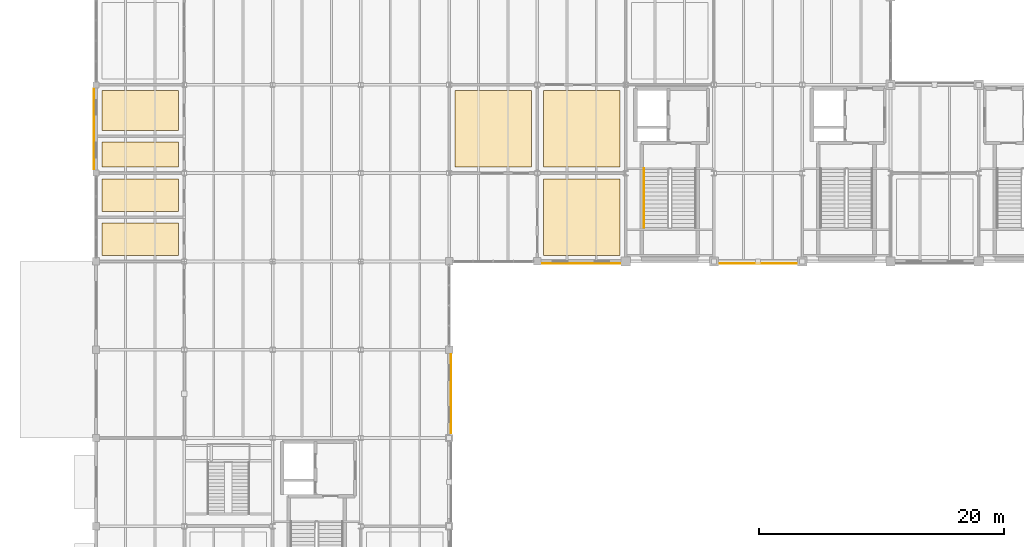
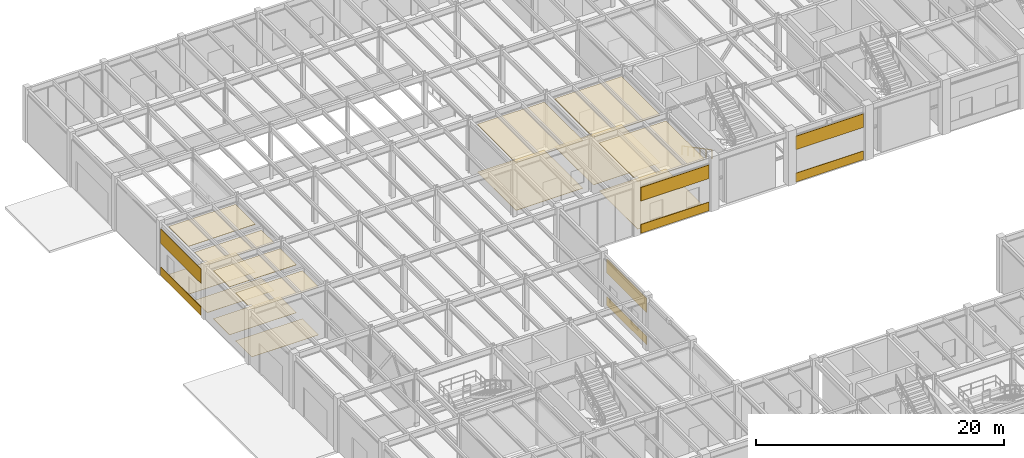
# One storey, part 92 of 97: 22 coverings, 1 railing.
"""IFC4 building model written with IfcOpenShell, lengths in metres."""

from ifc_helpers import new_model, si_unit, direction, frame, frame_2d, origin, origin_2d, place, context, subcontext, project, spatial, polyline, rectangle, circle, outline, extrude, material, layer, layer_set, type_object, element, save


model = new_model("IFC4")

# Units and contexts
model_context = context("Model", 3, precision=1e-05, world=origin(), true_north=direction((0.0, 1.0)))
body_context = subcontext(model_context, "Body", "Model", "MODEL_VIEW")
ifc_project = project(units=[si_unit("LENGTHUNIT", "METRE"), si_unit("AREAUNIT", "SQUARE_METRE"), si_unit("VOLUMEUNIT", "CUBIC_METRE"), si_unit("PLANEANGLEUNIT", "RADIAN"), si_unit("MASSUNIT", "GRAM", prefix="KILO")], contexts=[model_context])

# Site, building, storey
site_placement = place(None, origin())
site = spatial("IfcSite", under=ifc_project, at=site_placement, CompositionType="ELEMENT")
building_placement = place(site_placement, origin())
building = spatial("IfcBuilding", under=site, at=building_placement, Name="Sillqori Civic Hall", CompositionType="ELEMENT")
storey_placement = place(building_placement, origin())
storey = spatial("IfcBuildingStorey", under=building, at=storey_placement, Name="L01", CompositionType="ELEMENT", Elevation=0.0)

# Coverings
ifc_material_1 = material(Name="Acoustic Gypsum Board Assembly 28", Category="gypsum")
ifc_layer_1 = layer(ifc_material_1, 0.028076171875)
ifc_layer_set_1 = layer_set([ifc_layer_1], Name="Acoustic Gypsum Board Assembly 28")
covering_type_1 = type_object("IfcCoveringType", Name="COV-CEIL-G28", PredefinedType="CEILING", material=ifc_layer_set_1)
covering_1_placement = place(storey_placement, frame((0.0, 0.0, 4.721923828125)))
element("IfcCovering", 1, at=covering_1_placement, inside=storey, type_object=covering_type_1, Name="L01 Accessible WC acoustic ceiling", PredefinedType="CEILING", context=body_context, shape_type="SweptSolid", body=[
    extrude(outline(polyline([(7.679931640625, 86.8798828125), (13.919921875, 86.8798828125), (13.919921875, 88.919921875), (7.679931640625, 88.919921875), (7.679931640625, 86.8798828125)])), origin(), (0.0, 0.0, 1.0), 0.028076171875),
])
ifc_material_2 = material(Name="Acoustic Gypsum Board Assembly 34", Category="gypsum")
ifc_layer_2 = layer(ifc_material_2, 0.033935546875)
ifc_layer_set_2 = layer_set([ifc_layer_2], Name="Acoustic Gypsum Board Assembly 34")
covering_type_2 = type_object("IfcCoveringType", Name="COV-CEIL-G34", PredefinedType="CEILING", material=ifc_layer_set_2)
covering_2_placement = place(storey_placement, frame((0.0, 0.0, 4.716064453125)))
element("IfcCovering", 2, at=covering_2_placement, inside=storey, type_object=covering_type_2, Name="L01 Staff Sanitary and Cleaners Room acoustic ceiling", PredefinedType="CEILING", context=body_context, shape_type="SweptSolid", body=[
    extrude(outline(polyline([(7.679931640625, 89.8798828125), (13.919921875, 89.8798828125), (13.919921875, 93.1201171875), (7.679931640625, 93.1201171875), (7.679931640625, 89.8798828125)])), origin(), (0.0, 0.0, 1.0), 0.033935546875),
])
ifc_material_3 = material(Name="Perforated Metal Coffer Panel 64", Category="aluminium")
ifc_layer_3 = layer(ifc_material_3, 0.06396484375)
ifc_layer_set_3 = layer_set([ifc_layer_3], Name="Perforated Metal Coffer Panel 64")
covering_type_3 = type_object("IfcCoveringType", Name="COV-CEIL-M64", PredefinedType="CEILING", material=ifc_layer_set_3)
covering_3_placement = place(storey_placement, frame((0.0, 0.0, 4.68603515625)))
element("IfcCovering", 3, at=covering_3_placement, inside=storey, type_object=covering_type_3, Name="Business Licensing Intake Hall acoustic ceiling", PredefinedType="CEILING", context=body_context, shape_type="SweptSolid", body=[
    extrude(outline(polyline([(36.47998046875, 86.8798828125), (42.719970703125, 86.8798828125), (42.719970703125, 93.1201171875), (36.47998046875, 93.1201171875), (36.47998046875, 86.8798828125)])), origin(), (0.0, 0.0, 1.0), 0.06396484375),
])
ifc_material_4 = material(Name="Perforated Metal Coffer Panel 70", Category="aluminium")
ifc_layer_4 = layer(ifc_material_4, 0.070068359375)
ifc_layer_set_4 = layer_set([ifc_layer_4], Name="Perforated Metal Coffer Panel 70")
covering_type_4 = type_object("IfcCoveringType", Name="COV-CEIL-M70", PredefinedType="CEILING", material=ifc_layer_set_4)
covering_4_placement = place(storey_placement, frame((0.0, 0.0, 4.679931640625)))
element("IfcCovering", 4, at=covering_4_placement, inside=storey, type_object=covering_type_4, Name="Social Services Citizen Advisory Suite acoustic ceiling", PredefinedType="CEILING", context=body_context, shape_type="SweptSolid", body=[
    extrude(outline(polyline([(43.679931640625, 79.679931640625), (49.919921875, 79.679931640625), (49.919921875, 85.919921875), (43.679931640625, 85.919921875), (43.679931640625, 79.679931640625)])), origin(), (0.0, 0.0, 1.0), 0.070068359375),
])
ifc_material_5 = material(Name="Acoustic Wool Metal Plank 76", Category="aluminium")
ifc_layer_5 = layer(ifc_material_5, 0.075927734375)
ifc_layer_set_5 = layer_set([ifc_layer_5], Name="Acoustic Wool Metal Plank 76")
covering_type_5 = type_object("IfcCoveringType", Name="COV-CEIL-M76", PredefinedType="CEILING", material=ifc_layer_set_5)
covering_5_placement = place(storey_placement, frame((0.0, 0.0, 4.674072265625)))
element("IfcCovering", 5, at=covering_5_placement, inside=storey, type_object=covering_type_5, Name="Ombudsman Public Consultation Room acoustic ceiling", PredefinedType="CEILING", context=body_context, shape_type="SweptSolid", body=[
    extrude(outline(polyline([(43.679931640625, 86.8798828125), (49.919921875, 86.8798828125), (49.919921875, 93.1201171875), (43.679931640625, 93.1201171875), (43.679931640625, 86.8798828125)])), origin(), (0.0, 0.0, 1.0), 0.075927734375),
])
ifc_material_6 = material(Name="Micro-Perforated Aluminium Plank Ceiling", Category="aluminium")
ifc_layer_6 = layer(ifc_material_6, 0.035888671875)
ifc_layer_set_6 = layer_set([ifc_layer_6], Name="Micro-Perforated Aluminium Plank Ceiling")
covering_type_6 = type_object("IfcCoveringType", Name="COV-CEIL-MET", PredefinedType="CEILING", material=ifc_layer_set_6)
covering_6_placement = place(storey_placement, frame((0.0, 0.0, 4.714111328125)))
element("IfcCovering", 6, at=covering_6_placement, inside=storey, type_object=covering_type_6, Name="L01 Public Female WC acoustic ceiling", PredefinedType="CEILING", context=body_context, shape_type="SweptSolid", body=[
    extrude(outline(polyline([(7.679931640625, 83.280029296875), (13.919921875, 83.280029296875), (13.919921875, 85.919921875), (7.679931640625, 85.919921875), (7.679931640625, 83.280029296875)])), origin(), (0.0, 0.0, 1.0), 0.035888671875),
])
ifc_material_7 = material(Name="Mineral-Fibre High-NRC Tile Ceiling", Category="gypsum")
ifc_layer_7 = layer(ifc_material_7, 0.02392578125)
ifc_layer_set_7 = layer_set([ifc_layer_7], Name="Mineral-Fibre High-NRC Tile Ceiling")
covering_type_7 = type_object("IfcCoveringType", Name="COV-CEIL-MIN", PredefinedType="CEILING", material=ifc_layer_set_7)
covering_7_placement = place(storey_placement, frame((0.0, 0.0, 4.72607421875)))
element("IfcCovering", 7, at=covering_7_placement, inside=storey, type_object=covering_type_7, Name="L01 Public Male WC acoustic ceiling", PredefinedType="CEILING", context=body_context, shape_type="SweptSolid", body=[
    extrude(outline(polyline([(7.679931640625, 79.679931640625), (13.919921875, 79.679931640625), (13.919921875, 82.320068359375), (7.679931640625, 82.320068359375), (7.679931640625, 79.679931640625)])), origin(), (0.0, 0.0, 1.0), 0.02392578125),
])
ifc_material_8 = material(Name="Cochabamba Honed Limestone Cladding", Category="masonry")
ifc_layer_8 = layer(ifc_material_8, 0.044921875)
ifc_layer_set_8 = layer_set([ifc_layer_8], Name="Cochabamba Honed Limestone Cladding")
covering_type_8 = type_object("IfcCoveringType", Name="COV-CLAD-LIME", PredefinedType="CLADDING", material=ifc_layer_set_8)
covering_8_placement = place(storey_placement, frame((7.0400390625, 86.72998046875, 0.0400390625), z_axis=(0.0, 0.0, 1.0), x_axis=(0.0, 1.0, 0.0)))
element("IfcCovering", 8, at=covering_8_placement, inside=storey, type_object=covering_type_8, Name="L01 limestone spandrel cladding L01-01-12-W", PredefinedType="CLADDING", context=body_context, shape_type="SweptSolid", body=[
    extrude(rectangle(XDim=6.5400390625, YDim=0.044921875, at=frame_2d((3.27001953125, 0.0))), origin(), (0.0, 0.0, 1.0), 0.85986328125),
])
covering_9_placement = place(storey_placement, frame((7.0400390625, 86.72998046875, 3.219970703125), z_axis=(0.0, 0.0, 1.0), x_axis=(0.0, 1.0, 0.0)))
element("IfcCovering", 9, at=covering_9_placement, inside=storey, type_object=covering_type_8, Name="L01 limestone frieze cladding L01-01-12-W", PredefinedType="CLADDING", context=body_context, shape_type="SweptSolid", body=[
    extrude(rectangle(XDim=6.5400390625, YDim=0.044921875, at=frame_2d((3.27001953125, 0.0))), origin(), (0.0, 0.0, 1.0), 1.406982421875),
])
covering_10_placement = place(storey_placement, frame((36.14990234375, 71.6201171875, 0.0400390625), z_axis=(0.0, 0.0, 1.0), x_axis=(0.0, -1.0, 0.0)))
element("IfcCovering", 10, at=covering_10_placement, inside=storey, type_object=covering_type_8, Name="L01 limestone spandrel cladding L01-04-09-E", PredefinedType="CLADDING", context=body_context, shape_type="SweptSolid", body=[
    extrude(rectangle(XDim=6.440185546875, YDim=0.044921875, at=frame_2d((3.22021484375, 0.0))), origin(), (0.0, 0.0, 1.0), 0.85986328125),
])
covering_11_placement = place(storey_placement, frame((36.14990234375, 71.6201171875, 3.219970703125), z_axis=(0.0, 0.0, 1.0), x_axis=(0.0, -1.0, 0.0)))
element("IfcCovering", 11, at=covering_11_placement, inside=storey, type_object=covering_type_8, Name="L01 limestone frieze cladding L01-04-09-E", PredefinedType="CLADDING", context=body_context, shape_type="SweptSolid", body=[
    extrude(rectangle(XDim=6.440185546875, YDim=0.044921875, at=frame_2d((3.22021484375, 0.0))), origin(), (0.0, 0.0, 1.0), 1.406982421875),
])
covering_12_placement = place(storey_placement, frame((49.945068359375, 79.0400390625, 0.0400390625), z_axis=(0.0, 0.0, 1.0), x_axis=(-1.0, 0.0, 0.0)))
element("IfcCovering", 12, at=covering_12_placement, inside=storey, type_object=covering_type_8, Name="L01 limestone spandrel cladding L01-06-11-S", PredefinedType="CLADDING", context=body_context, shape_type="SweptSolid", body=[
    extrude(rectangle(XDim=6.364990234375, YDim=0.044921875, at=frame_2d((3.1826171875, 0.0))), origin(), (0.0, 0.0, 1.0), 0.85986328125),
])
covering_13_placement = place(storey_placement, frame((49.945068359375, 79.0400390625, 3.219970703125), z_axis=(0.0, 0.0, 1.0), x_axis=(-1.0, 0.0, 0.0)))
element("IfcCovering", 13, at=covering_13_placement, inside=storey, type_object=covering_type_8, Name="L01 limestone frieze cladding L01-06-11-S", PredefinedType="CLADDING", context=body_context, shape_type="SweptSolid", body=[
    extrude(rectangle(XDim=6.364990234375, YDim=0.044921875, at=frame_2d((3.1826171875, 0.0))), origin(), (0.0, 0.0, 1.0), 1.338134765625),
])
covering_14_placement = place(storey_placement, frame((64.344970703125, 79.0400390625, 0.0400390625), z_axis=(0.0, 0.0, 1.0), x_axis=(-1.0, 0.0, 0.0)))
element("IfcCovering", 14, at=covering_14_placement, inside=storey, type_object=covering_type_8, Name="L01 limestone spandrel cladding L01-08-11-S", PredefinedType="CLADDING", context=body_context, shape_type="SweptSolid", body=[
    extrude(rectangle(XDim=6.2900390625, YDim=0.044921875, at=frame_2d((3.14501953125, 0.0))), origin(), (0.0, 0.0, 1.0), 0.85986328125),
])
covering_15_placement = place(storey_placement, frame((64.344970703125, 79.0400390625, 3.219970703125), z_axis=(0.0, 0.0, 1.0), x_axis=(-1.0, 0.0, 0.0)))
element("IfcCovering", 15, at=covering_15_placement, inside=storey, type_object=covering_type_8, Name="L01 limestone frieze cladding L01-08-11-S", PredefinedType="CLADDING", context=body_context, shape_type="SweptSolid", body=[
    extrude(rectangle(XDim=6.2900390625, YDim=0.044921875, at=frame_2d((3.14501953125, 0.0))), origin(), (0.0, 0.0, 1.0), 1.338134765625),
])
ifc_material_9 = material(Name="Vitrified Porcelain Tile 18", Category="ceramic")
ifc_layer_9 = layer(ifc_material_9, 0.01806640625)
ifc_layer_set_9 = layer_set([ifc_layer_9], Name="Vitrified Porcelain Tile 18")
covering_type_9 = type_object("IfcCoveringType", Name="COV-FLR-P18", PredefinedType="FLOORING", material=ifc_layer_set_9)
covering_16_placement = place(storey_placement, origin())
element("IfcCovering", 16, at=covering_16_placement, inside=storey, type_object=covering_type_9, Name="Social Services Citizen Advisory Suite floor finish", PredefinedType="FLOORING", context=body_context, shape_type="SweptSolid", body=[
    extrude(outline(polyline([(43.679931640625, 79.679931640625), (49.919921875, 79.679931640625), (49.919921875, 85.919921875), (43.679931640625, 85.919921875), (43.679931640625, 79.679931640625)])), origin(), (0.0, 0.0, 1.0), 0.01806640625),
])
ifc_material_10 = material(Name="Slip-Resistant R11 Porcelain Tile", Category="ceramic")
ifc_layer_10 = layer(ifc_material_10, 0.02001953125)
ifc_layer_set_10 = layer_set([ifc_layer_10], Name="Slip-Resistant R11 Porcelain Tile")
covering_type_10 = type_object("IfcCoveringType", Name="COV-FLR-POR", PredefinedType="FLOORING", material=ifc_layer_set_10)
covering_17_placement = place(storey_placement, origin())
element("IfcCovering", 17, at=covering_17_placement, inside=storey, type_object=covering_type_10, Name="L01 Public Male WC floor finish", PredefinedType="FLOORING", context=body_context, shape_type="SweptSolid", body=[
    extrude(outline(polyline([(7.679931640625, 79.679931640625), (13.919921875, 79.679931640625), (13.919921875, 82.320068359375), (7.679931640625, 82.320068359375), (7.679931640625, 79.679931640625)])), origin(), (0.0, 0.0, 1.0), 0.02001953125),
])
covering_18_placement = place(storey_placement, origin())
element("IfcCovering", 18, at=covering_18_placement, inside=storey, type_object=covering_type_10, Name="L01 Public Female WC floor finish", PredefinedType="FLOORING", context=body_context, shape_type="SweptSolid", body=[
    extrude(outline(polyline([(7.679931640625, 83.280029296875), (13.919921875, 83.280029296875), (13.919921875, 85.919921875), (7.679931640625, 85.919921875), (7.679931640625, 83.280029296875)])), origin(), (0.0, 0.0, 1.0), 0.02001953125),
])
covering_19_placement = place(storey_placement, origin())
element("IfcCovering", 19, at=covering_19_placement, inside=storey, type_object=covering_type_10, Name="L01 Accessible WC floor finish", PredefinedType="FLOORING", context=body_context, shape_type="SweptSolid", body=[
    extrude(outline(polyline([(7.679931640625, 86.8798828125), (13.919921875, 86.8798828125), (13.919921875, 88.919921875), (7.679931640625, 88.919921875), (7.679931640625, 86.8798828125)])), origin(), (0.0, 0.0, 1.0), 0.02001953125),
])
covering_20_placement = place(storey_placement, origin())
element("IfcCovering", 20, at=covering_20_placement, inside=storey, type_object=covering_type_10, Name="L01 Staff Sanitary and Cleaners Room floor finish", PredefinedType="FLOORING", context=body_context, shape_type="SweptSolid", body=[
    extrude(outline(polyline([(7.679931640625, 89.8798828125), (13.919921875, 89.8798828125), (13.919921875, 93.1201171875), (7.679931640625, 93.1201171875), (7.679931640625, 89.8798828125)])), origin(), (0.0, 0.0, 1.0), 0.02001953125),
])
ifc_material_11 = material(Name="Seamless Polyurethane Acoustic Screed 12", Category="resin")
ifc_layer_11 = layer(ifc_material_11, 0.011962890625)
ifc_layer_set_11 = layer_set([ifc_layer_11], Name="Seamless Polyurethane Acoustic Screed 12")
covering_type_11 = type_object("IfcCoveringType", Name="COV-FLR-R12", PredefinedType="FLOORING", material=ifc_layer_set_11)
covering_21_placement = place(storey_placement, origin())
element("IfcCovering", 21, at=covering_21_placement, inside=storey, type_object=covering_type_11, Name="Ombudsman Public Consultation Room floor finish", PredefinedType="FLOORING", context=body_context, shape_type="SweptSolid", body=[
    extrude(outline(polyline([(43.679931640625, 86.8798828125), (49.919921875, 86.8798828125), (49.919921875, 93.1201171875), (43.679931640625, 93.1201171875), (43.679931640625, 86.8798828125)])), origin(), (0.0, 0.0, 1.0), 0.011962890625),
])
ifc_material_12 = material(Name="Acoustic Sprung Timber Flooring 30", Category="wood")
ifc_layer_12 = layer(ifc_material_12, 0.030029296875)
ifc_layer_set_12 = layer_set([ifc_layer_12], Name="Acoustic Sprung Timber Flooring 30")
covering_type_12 = type_object("IfcCoveringType", Name="COV-FLR-T30", PredefinedType="FLOORING", material=ifc_layer_set_12)
covering_22_placement = place(storey_placement, origin())
element("IfcCovering", 22, at=covering_22_placement, inside=storey, type_object=covering_type_12, Name="Business Licensing Intake Hall floor finish", PredefinedType="FLOORING", context=body_context, shape_type="SweptSolid", body=[
    extrude(outline(polyline([(36.47998046875, 86.8798828125), (42.719970703125, 86.8798828125), (42.719970703125, 93.1201171875), (36.47998046875, 93.1201171875), (36.47998046875, 86.8798828125)])), origin(), (0.0, 0.0, 1.0), 0.030029296875),
])

# Railing
ifc_material_13 = material(Name="Brushed Stainless Steel 316 Handrail", Category="steel")
ifc_layer_13 = layer(ifc_material_13, 0.044921875)
ifc_layer_set_13 = layer_set([ifc_layer_13], Name="Brushed Stainless Steel 316 Handrail")
railing_type = type_object("IfcRailingType", Name="RLG-CORE-092", PredefinedType="HANDRAIL", material=ifc_layer_set_13)
railing_placement = place(storey_placement, frame((51.909912109375, 86.77001953125, 0.168701171875)))
element("IfcRailing", 23, at=railing_placement, inside=storey, type_object=railing_type, Name="L01 ST-05 stair handrail 1", PredefinedType="HANDRAIL", context=body_context, shape_type="SweptSolid", body=[
    extrude(circle(Radius=0.02392578125, at=origin_2d()), frame((0.0, 0.0, 0.8759765625), z_axis=(0.0, -0.8845451381, 0.466454605148), x_axis=(1.0, 0.0, 0.0)), (0.0, 0.0, 1.0), 5.426513671875),
    extrude(circle(Radius=0.02099609375, at=origin_2d()), origin(), (0.0, 0.0, 1.0), 0.851806640625),
    extrude(circle(Radius=0.02099609375, at=origin_2d()), frame((0.0, -0.9599609375, 0.50634765625)), (0.0, 0.0, 1.0), 0.851806640625),
    extrude(circle(Radius=0.02099609375, at=origin_2d()), frame((0.0, -1.919921875, 1.012451171875)), (0.0, 0.0, 1.0), 0.851806640625),
    extrude(circle(Radius=0.02099609375, at=origin_2d()), frame((0.0, -2.880126953125, 1.518798828125)), (0.0, 0.0, 1.0), 0.851806640625),
    extrude(circle(Radius=0.02099609375, at=origin_2d()), frame((0.0, -3.840087890625, 2.02490234375)), (0.0, 0.0, 1.0), 0.851806640625),
    extrude(circle(Radius=0.02099609375, at=origin_2d()), frame((0.0, -4.800048828125, 2.53125)), (0.0, 0.0, 1.0), 0.851806640625),
])

save(model, "model.ifc")
